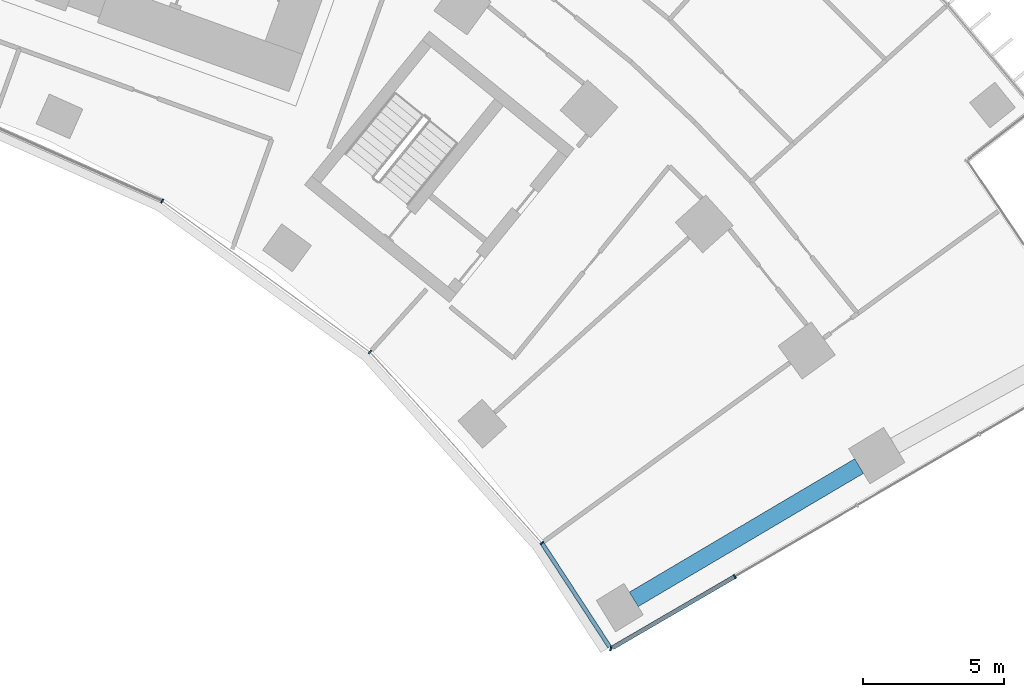
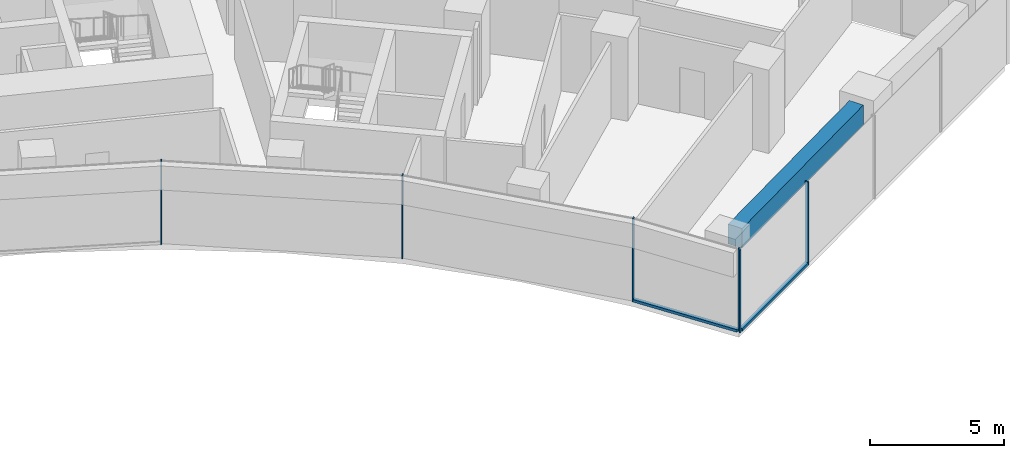
# One storey, part 7 of 21: 7 members, 1 beam, 2 elements without a shape of their own.
"""IFC4 building model written with IfcOpenShell, lengths in metres."""

from ifc_helpers import new_model, si_unit, direction, frame, origin, origin_2d, place, context, subcontext, project, spatial, rectangle, extrude, material, layer, layer_set, material_profile, profile_set, type_object, element, aggregate, save


model = new_model("IFC4")

# Units and contexts
model_context = context("Model", 3, precision=1e-05, world=origin(), true_north=direction((0.0, 1.0)))
body_context = subcontext(model_context, "Body", "Model", "MODEL_VIEW")
ifc_project = project(units=[si_unit("LENGTHUNIT", "METRE"), si_unit("AREAUNIT", "SQUARE_METRE"), si_unit("VOLUMEUNIT", "CUBIC_METRE"), si_unit("PLANEANGLEUNIT", "RADIAN"), si_unit("MASSUNIT", "GRAM", prefix="KILO")], contexts=[model_context])

# Site, building, storey
site_placement = place(None, origin())
site = spatial("IfcSite", under=ifc_project, at=site_placement, CompositionType="ELEMENT")
building_placement = place(site_placement, origin())
building = spatial("IfcBuilding", under=site, at=building_placement, Name="Stone Belt Terrace Tower", CompositionType="ELEMENT")
storey_placement = place(building_placement, frame((0.0, 0.0, 87.0)))
storey = spatial("IfcBuildingStorey", under=building, at=storey_placement, Name="L20", CompositionType="ELEMENT", Elevation=87.0)

# Curtain wall, members
ifc_material_1 = material(Name="Aluminium 6063-T6 anodised frame", Category="aluminium")
ifc_layer_1 = layer(ifc_material_1, 0.14990234375)
ifc_layer_set_1 = layer_set([ifc_layer_1], Name="CW-B unitised concave-face curtain wall")
curtain_wall_type_1 = type_object("IfcCurtainWallType", Name="CW-B unitised concave-face curtain wall", PredefinedType="NOTDEFINED", material=ifc_layer_set_1)
curtain_wall_1_placement = place(storey_placement, origin())
curtain_wall_1 = element("IfcCurtainWall", 1, at=curtain_wall_1_placement, inside=storey, type_object=curtain_wall_type_1, Name="CW-B concave face L20", PredefinedType="NOTDEFINED")
ifc_material_profile_1 = material_profile(ifc_material_1, rectangle(XDim=0.14990234375, YDim=0.050048828125, at=origin_2d()), Name="Aluminium 6063-T6 50x150")
ifc_profile_set_1 = profile_set([ifc_material_profile_1], Name="Aluminium 6063-T6 anodised frame")
member_type_1 = type_object("IfcMemberType", Name="CW-B mullion 50 x 150", PredefinedType="MULLION", material=ifc_profile_set_1)
member_1_placement = place(storey_placement, frame((21.71240234375, 37.606689453125, 0.0), z_axis=(0.0, 0.0, 1.0), x_axis=(0.5, 0.866025403784, 0.0)))
member_1 = element("IfcMember", 2, at=member_1_placement, type_object=member_type_1, Name="CW-B mullion 8", PredefinedType="MULLION", context=body_context, shape_type="SweptSolid", body=[
    extrude(rectangle(XDim=0.14990234375, YDim=0.050048828125, at=origin_2d()), origin(), (0.0, 0.0, 1.0), 3.800048828125),
])
member_2_placement = place(storey_placement, frame((29.056640625, 32.270751953125, 0.0), z_axis=(0.0, 0.0, 1.0), x_axis=(0.669130606359, 0.743144825477, 0.0)))
member_2 = element("IfcMember", 3, at=member_2_placement, type_object=member_type_1, Name="CW-B mullion 9", PredefinedType="MULLION", context=body_context, shape_type="SweptSolid", body=[
    extrude(rectangle(XDim=0.14990234375, YDim=0.050048828125, at=origin_2d()), origin(), (0.0, 0.0, 1.0), 3.800048828125),
])
member_3_placement = place(storey_placement, frame((35.132568359375, 25.522705078125, 0.0), z_axis=(0.0, 0.0, 1.0), x_axis=(0.792811047542, 0.609467507662, 0.0)))
member_3 = element("IfcMember", 4, at=member_3_placement, type_object=member_type_1, Name="CW-B mullion 10", PredefinedType="MULLION", context=body_context, shape_type="SweptSolid", body=[
    extrude(rectangle(XDim=0.14990234375, YDim=0.050048828125, at=origin_2d()), origin(), (0.0, 0.0, 1.0), 3.800048828125),
])
ifc_material_profile_2 = material_profile(ifc_material_1, rectangle(XDim=0.14990234375, YDim=0.1201171875, at=origin_2d()), Name="Aluminium 6063-T6 150x120")
ifc_profile_set_2 = profile_set([ifc_material_profile_2], Name="Aluminium 6063-T6 anodised frame")
member_type_2 = type_object("IfcMemberType", Name="CW-B transom 120 x 150", PredefinedType="USERDEFINED", material=ifc_profile_set_2)
member_4_placement = place(storey_placement, frame((35.1494140625, 25.4970703125, 0.06005859375), z_axis=(0.546136356084, -0.83769629375, 0.0), x_axis=(0.83769629375, 0.546136356084, 0.0)))
member_4 = element("IfcMember", 5, at=member_4_placement, type_object=member_type_2, Name="CW-B transom 10.1", ObjectType="TRANSOM", PredefinedType="USERDEFINED", context=body_context, shape_type="SweptSolid", body=[
    extrude(rectangle(XDim=0.14990234375, YDim=0.1201171875, at=origin_2d()), origin(), (0.0, 0.0, 1.0), 4.363525390625),
])
aggregate(curtain_wall_1, [member_1, member_2, member_3, member_4])

ifc_layer_2 = layer(ifc_material_1, 0.14990234375)
ifc_layer_set_2 = layer_set([ifc_layer_2], Name="CW-C stick curtain wall, horn ends and notches")
curtain_wall_type_2 = type_object("IfcCurtainWallType", Name="CW-C stick curtain wall, horn ends and notches", PredefinedType="NOTDEFINED", material=ifc_layer_set_2)
curtain_wall_2_placement = place(storey_placement, origin())
curtain_wall_2 = element("IfcCurtainWall", 6, at=curtain_wall_2_placement, inside=storey, type_object=curtain_wall_type_2, Name="CW-C end face L20", PredefinedType="NOTDEFINED")
ifc_material_profile_3 = material_profile(ifc_material_1, rectangle(XDim=0.14990234375, YDim=0.06005859375, at=origin_2d()), Name="Aluminium 6063-T6 60x150")
ifc_profile_set_3 = profile_set([ifc_material_profile_3], Name="Aluminium 6063-T6 anodised frame")
member_type_3 = type_object("IfcMemberType", Name="CW-C mullion 60 x 150", PredefinedType="MULLION", material=ifc_profile_set_3)
member_5_placement = place(storey_placement, frame((37.570556640625, 21.783447265625, 0.0), z_axis=(0.0, 0.0, 1.0), x_axis=(0.230847440535, 0.972989958426, 0.0)))
member_5 = element("IfcMember", 7, at=member_5_placement, type_object=member_type_3, Name="CW-C mullion 1", PredefinedType="MULLION", context=body_context, shape_type="SweptSolid", body=[
    extrude(rectangle(XDim=0.14990234375, YDim=0.06005859375, at=origin_2d()), origin(), (0.0, 0.0, 1.0), 3.800048828125),
])
member_6_placement = place(storey_placement, frame((41.953369140625, 24.334716796875, 0.0), z_axis=(0.0, 0.0, 1.0), x_axis=(-0.503080901861, 0.864239322284, 0.0)))
member_6 = element("IfcMember", 8, at=member_6_placement, type_object=member_type_3, Name="CW-C mullion 2", PredefinedType="MULLION", context=body_context, shape_type="SweptSolid", body=[
    extrude(rectangle(XDim=0.14990234375, YDim=0.06005859375, at=origin_2d()), origin(), (0.0, 0.0, 1.0), 3.800048828125),
])
ifc_material_profile_4 = material_profile(ifc_material_1, rectangle(XDim=0.14990234375, YDim=0.1201171875, at=origin_2d()), Name="Aluminium 6063-T6 150x120")
ifc_profile_set_4 = profile_set([ifc_material_profile_4], Name="Aluminium 6063-T6 anodised frame")
member_type_4 = type_object("IfcMemberType", Name="CW-C transom 120 x 150", PredefinedType="USERDEFINED", material=ifc_profile_set_4)
member_7_placement = place(storey_placement, frame((37.634033203125, 21.8203125, 0.06005859375), z_axis=(0.864238402529, 0.5030824819, 0.0), x_axis=(-0.5030824819, 0.864238402529, 0.0)))
member_7 = element("IfcMember", 9, at=member_7_placement, type_object=member_type_4, Name="CW-C transom 1.1", ObjectType="TRANSOM", PredefinedType="USERDEFINED", context=body_context, shape_type="SweptSolid", body=[
    extrude(rectangle(XDim=0.14990234375, YDim=0.1201171875, at=origin_2d()), origin(), (0.0, 0.0, 1.0), 4.968017578125),
])
aggregate(curtain_wall_2, [member_5, member_6, member_7])

# Beam
ifc_material_2 = material(Name="Concrete B60", Category="concrete")
ifc_material_profile_5 = material_profile(ifc_material_2, rectangle(XDim=0.60009765625, YDim=0.89990234375, at=origin_2d()), Name="RC 600x900")
ifc_profile_set_5 = profile_set([ifc_material_profile_5], Name="Concrete B60")
beam_type = type_object("IfcBeamType", Name="Edge beam RC 600x900 B60", PredefinedType="SPANDREL", material=ifc_profile_set_5)
beam_placement = place(storey_placement, frame((38.3828125, 23.52783203125, 3.030029296875), z_axis=(0.860646513691, 0.509202885372, 0.0), x_axis=(-0.509202885372, 0.860646513691, 0.0)))
element("IfcBeam", 10, at=beam_placement, inside=storey, type_object=beam_type, Name="Edge beam L20 B P to Q", PredefinedType="SPANDREL", context=body_context, shape_type="SweptSolid", body=[
    extrude(rectangle(XDim=0.60009765625, YDim=0.89990234375, at=origin_2d()), origin(), (0.0, 0.0, 1.0), 9.255859375),
])

save(model, "model.ifc")
